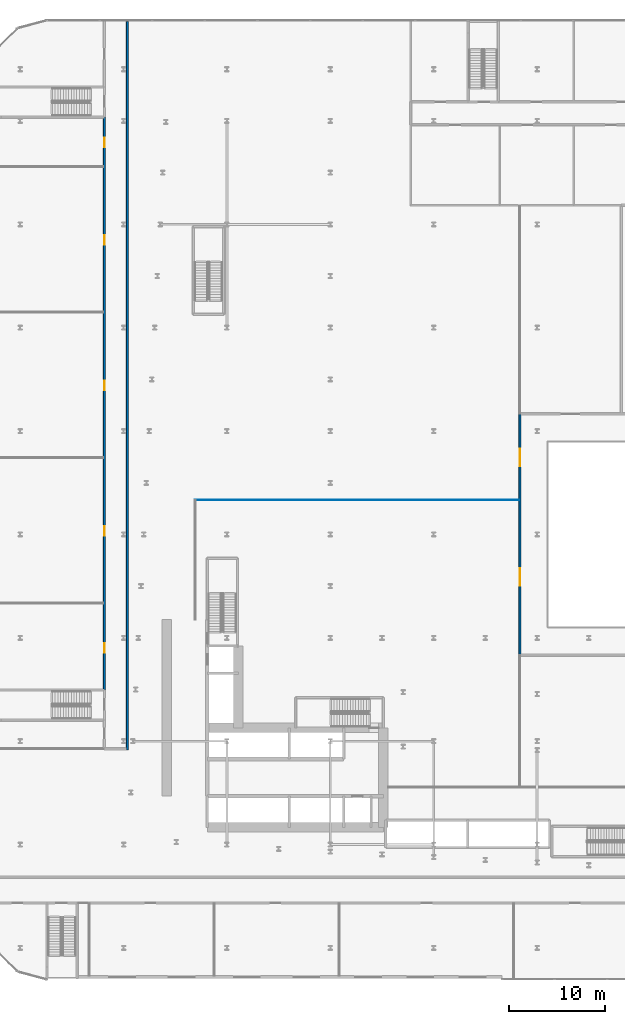
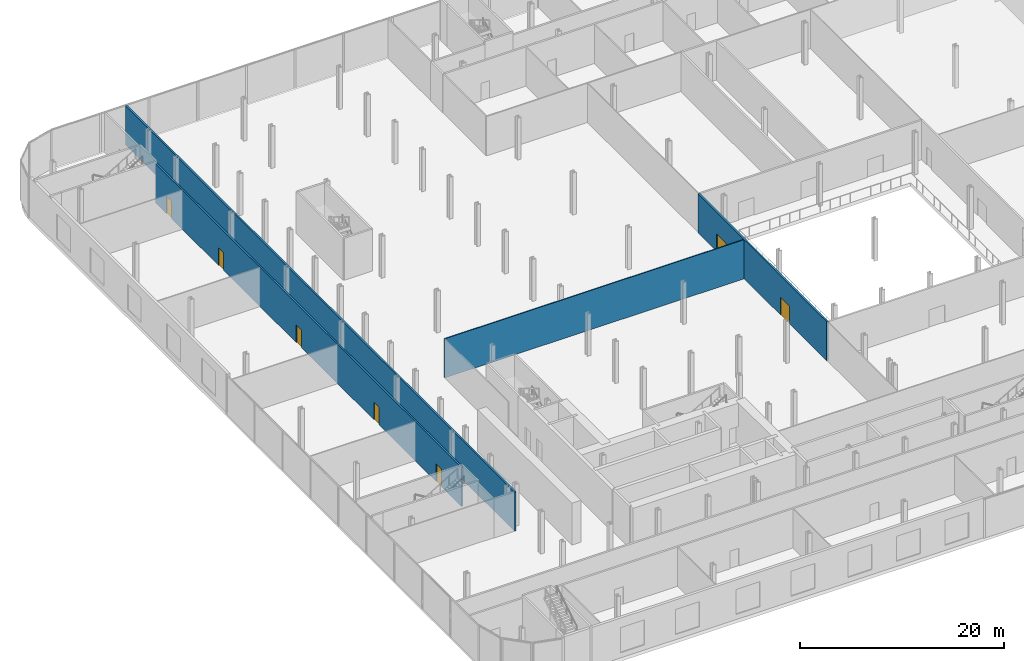
# One storey, part 30 of 47: 7 doors, 4 walls, 7 openings.
"""IFC4 building model written with IfcOpenShell, lengths in metres."""

from ifc_helpers import new_model, si_unit, direction, frame, frame_2d, origin, place, context, subcontext, project, spatial, rectangle, extrude, source, transform, mapped, material, layer, layer_set, type_object, element, fill, save


model = new_model("IFC4")

# Units and contexts
model_context = context("Model", 3, precision=1e-05, world=origin(), true_north=direction((0.0, 1.0)))
body_context = subcontext(model_context, "Body", "Model", "MODEL_VIEW")
ifc_project = project(units=[si_unit("LENGTHUNIT", "METRE"), si_unit("AREAUNIT", "SQUARE_METRE"), si_unit("VOLUMEUNIT", "CUBIC_METRE"), si_unit("PLANEANGLEUNIT", "RADIAN"), si_unit("MASSUNIT", "GRAM", prefix="KILO")], contexts=[model_context])

# Site, building, storey
site_placement = place(None, origin())
site = spatial("IfcSite", under=ifc_project, at=site_placement, CompositionType="ELEMENT")
building_placement = place(site_placement, origin())
building = spatial("IfcBuilding", under=site, at=building_placement, Name="Kheshtan School and Residences Tower", CompositionType="ELEMENT")
storey_placement = place(building_placement, frame((0.0, 0.0, 7.5)))
storey = spatial("IfcBuildingStorey", under=building, at=storey_placement, Name="L01", CompositionType="ELEMENT", Elevation=7.5)

# Wall, openings, doors
ifc_material_1 = material(Name="Gypsum board on steel studs with fire boards", Category="steel")
ifc_layer_1 = layer(ifc_material_1, 0.199951171875)
ifc_layer_set_1 = layer_set([ifc_layer_1], Name="Corridor wall 200")
wall_type_1 = type_object("IfcWallType", Name="Corridor wall 200", PredefinedType="PARTITIONING", material=ifc_layer_set_1)
wall_1_placement = place(storey_placement, frame((24.0, 40.14990234375, 0.0), z_axis=(0.0, 0.0, 1.0), x_axis=(0.0, 1.0, 0.0)))
wall_1 = element("IfcWall", 1, at=wall_1_placement, inside=storey, type_object=wall_type_1, Name="Partition L01-012", PredefinedType="PARTITIONING", context=body_context, shape_type="SweptSolid", body=[
    extrude(rectangle(XDim=59.85009765625, YDim=0.199951171875, at=frame_2d((29.925048828125, 0.0))), origin(), (0.0, 0.0, 1.0), 4.679931640625),
])
opening_1_placement = place(wall_1_placement, frame((3.89990234375, 0.0, 0.0)))
opening_1 = element("IfcOpeningElement", 2, at=opening_1_placement, cuts=wall_1, Name="Opening D01-053", PredefinedType="OPENING", context=body_context, shape_type="SweptSolid", body=[
    extrude(rectangle(XDim=1.0, YDim=2.10009765625, at=frame_2d((0.5, 1.050048828125))), frame((0.0, 0.10986328125, 0.0), z_axis=(0.0, -1.0, 0.0), x_axis=(1.0, 0.0, 0.0)), (0.0, 0.0, 1.0), 0.219970703125),
])
opening_2_placement = place(wall_1_placement, frame((16.10009765625, 0.0, 0.0)))
opening_2 = element("IfcOpeningElement", 3, at=opening_2_placement, cuts=wall_1, Name="Opening D01-054", PredefinedType="OPENING", context=body_context, shape_type="SweptSolid", body=[
    extrude(rectangle(XDim=1.0, YDim=2.10009765625, at=frame_2d((0.5, 1.050048828125))), frame((0.0, 0.10986328125, 0.0), z_axis=(0.0, -1.0, 0.0), x_axis=(1.0, 0.0, 0.0)), (0.0, 0.0, 1.0), 0.219970703125),
])
opening_3_placement = place(wall_1_placement, frame((31.300048828125, 0.0, 0.0)))
opening_3 = element("IfcOpeningElement", 4, at=opening_3_placement, cuts=wall_1, Name="Opening D01-055", PredefinedType="OPENING", context=body_context, shape_type="SweptSolid", body=[
    extrude(rectangle(XDim=1.0, YDim=2.10009765625, at=frame_2d((0.5, 1.050048828125))), frame((0.0, 0.10986328125, 0.0), z_axis=(0.0, -1.0, 0.0), x_axis=(1.0, 0.0, 0.0)), (0.0, 0.0, 1.0), 0.219970703125),
])
opening_4_placement = place(wall_1_placement, frame((46.5, 0.0, 0.0)))
opening_4 = element("IfcOpeningElement", 5, at=opening_4_placement, cuts=wall_1, Name="Opening D01-056", PredefinedType="OPENING", context=body_context, shape_type="SweptSolid", body=[
    extrude(rectangle(XDim=1.0, YDim=2.10009765625, at=frame_2d((0.5, 1.050048828125))), frame((0.0, 0.10986328125, 0.0), z_axis=(0.0, -1.0, 0.0), x_axis=(1.0, 0.0, 0.0)), (0.0, 0.0, 1.0), 0.219970703125),
])
opening_5_placement = place(wall_1_placement, frame((56.699951171875, 0.0, 0.0)))
opening_5 = element("IfcOpeningElement", 6, at=opening_5_placement, cuts=wall_1, Name="Opening D01-057", PredefinedType="OPENING", context=body_context, shape_type="SweptSolid", body=[
    extrude(rectangle(XDim=1.0, YDim=2.10009765625, at=frame_2d((0.5, 1.050048828125))), frame((0.0, 0.10986328125, 0.0), z_axis=(0.0, -1.0, 0.0), x_axis=(1.0, 0.0, 0.0)), (0.0, 0.0, 1.0), 0.219970703125),
])
ifc_material_2 = material(Name="Steel-framed fire-resisting door leaf", Category="steel")
door_type_1 = type_object("IfcDoorType", Name="Fire door FD60 1000 x 2100", OperationType="SINGLE_SWING_LEFT", PredefinedType="DOOR", material=ifc_material_2)
shared_shape_1 = source(origin(), body_context, "Body", "SweptSolid", [
    extrude(rectangle(XDim=1.0, YDim=2.10009765625, at=frame_2d((0.5, 1.050048828125))), frame((0.0, 0.02490234375, 0.0), z_axis=(0.0, -1.0, 0.0), x_axis=(1.0, 0.0, 0.0)), (0.0, 0.0, 1.0), 0.050048828125),
])
door_1_placement = place(opening_1_placement, origin())
door_1 = element("IfcDoor", 7, at=door_1_placement, inside=storey, type_object=door_type_1, Name="Door D01-053", OperationType="SINGLE_SWING_LEFT", OverallHeight=2.10009765625, OverallWidth=1.0, PredefinedType="DOOR", context=body_context, shape_type="MappedRepresentation", body=[
    mapped(shared_shape_1, transform((0.0, 0.0, 0.0), x_axis=(1.0, 0.0, 0.0), y_axis=(0.0, 1.0, 0.0), z_axis=(0.0, 0.0, 1.0), scale=1.0)),
])
fill(opening_1, door_1)
door_2_placement = place(opening_2_placement, origin())
door_2 = element("IfcDoor", 8, at=door_2_placement, inside=storey, type_object=door_type_1, Name="Door D01-054", OperationType="SINGLE_SWING_LEFT", OverallHeight=2.10009765625, OverallWidth=1.0, PredefinedType="DOOR", context=body_context, shape_type="MappedRepresentation", body=[
    mapped(shared_shape_1, transform((0.0, 0.0, 0.0), x_axis=(1.0, 0.0, 0.0), y_axis=(0.0, 1.0, 0.0), z_axis=(0.0, 0.0, 1.0), scale=1.0)),
])
fill(opening_2, door_2)
door_3_placement = place(opening_3_placement, origin())
door_3 = element("IfcDoor", 9, at=door_3_placement, inside=storey, type_object=door_type_1, Name="Door D01-055", OperationType="SINGLE_SWING_LEFT", OverallHeight=2.10009765625, OverallWidth=1.0, PredefinedType="DOOR", context=body_context, shape_type="MappedRepresentation", body=[
    mapped(shared_shape_1, transform((0.0, 0.0, 0.0), x_axis=(1.0, 0.0, 0.0), y_axis=(0.0, 1.0, 0.0), z_axis=(0.0, 0.0, 1.0), scale=1.0)),
])
fill(opening_3, door_3)
door_4_placement = place(opening_4_placement, origin())
door_4 = element("IfcDoor", 10, at=door_4_placement, inside=storey, type_object=door_type_1, Name="Door D01-056", OperationType="SINGLE_SWING_LEFT", OverallHeight=2.10009765625, OverallWidth=1.0, PredefinedType="DOOR", context=body_context, shape_type="MappedRepresentation", body=[
    mapped(shared_shape_1, transform((0.0, 0.0, 0.0), x_axis=(1.0, 0.0, 0.0), y_axis=(0.0, 1.0, 0.0), z_axis=(0.0, 0.0, 1.0), scale=1.0)),
])
fill(opening_4, door_4)
door_5_placement = place(opening_5_placement, origin())
door_5 = element("IfcDoor", 11, at=door_5_placement, inside=storey, type_object=door_type_1, Name="Door D01-057", OperationType="SINGLE_SWING_LEFT", OverallHeight=2.10009765625, OverallWidth=1.0, PredefinedType="DOOR", context=body_context, shape_type="MappedRepresentation", body=[
    mapped(shared_shape_1, transform((0.0, 0.0, 0.0), x_axis=(1.0, 0.0, 0.0), y_axis=(0.0, 1.0, 0.0), z_axis=(0.0, 0.0, 1.0), scale=1.0)),
])
fill(opening_5, door_5)

# Wall
wall_2_placement = place(storey_placement, frame((26.39990234375, 33.89990234375, 0.0), z_axis=(0.0, 0.0, 1.0), x_axis=(0.0, 1.0, 0.0)))
element("IfcWall", 12, at=wall_2_placement, inside=storey, type_object=wall_type_1, Name="Partition L01-014", PredefinedType="PARTITIONING", context=body_context, shape_type="SweptSolid", body=[
    extrude(rectangle(XDim=76.10009765625, YDim=0.199951171875, at=frame_2d((38.050048828125, 0.0))), origin(), (0.0, 0.0, 1.0), 4.679931640625),
])

# Wall, openings, doors
wall_3_placement = place(storey_placement, frame((67.39990234375, 43.800048828125, 0.0), z_axis=(0.0, 0.0, 1.0), x_axis=(0.0, 1.0, 0.0)))
wall_3 = element("IfcWall", 13, at=wall_3_placement, inside=storey, type_object=wall_type_1, Name="Partition L01-030", PredefinedType="PARTITIONING", context=body_context, shape_type="SweptSolid", body=[
    extrude(rectangle(XDim=25.199951171875, YDim=0.199951171875, at=frame_2d((12.60009765625, 0.0))), origin(), (0.0, 0.0, 1.0), 4.679931640625),
])
opening_6_placement = place(wall_3_placement, frame((7.25, 0.0, 0.0)))
opening_6 = element("IfcOpeningElement", 14, at=opening_6_placement, cuts=wall_3, Name="Opening D01-059", PredefinedType="OPENING", context=body_context, shape_type="SweptSolid", body=[
    extrude(rectangle(XDim=1.800048828125, YDim=2.10009765625, at=frame_2d((0.89990234375, 1.050048828125))), frame((0.0, 0.10986328125, 0.0), z_axis=(0.0, -1.0, 0.0), x_axis=(1.0, 0.0, 0.0)), (0.0, 0.0, 1.0), 0.219970703125),
])
opening_7_placement = place(wall_3_placement, frame((19.75, 0.0, 0.0)))
opening_7 = element("IfcOpeningElement", 15, at=opening_7_placement, cuts=wall_3, Name="Opening D01-060", PredefinedType="OPENING", context=body_context, shape_type="SweptSolid", body=[
    extrude(rectangle(XDim=1.800048828125, YDim=2.10009765625, at=frame_2d((0.89990234375, 1.050048828125))), frame((0.0, 0.10986328125, 0.0), z_axis=(0.0, -1.0, 0.0), x_axis=(1.0, 0.0, 0.0)), (0.0, 0.0, 1.0), 0.219970703125),
])
door_type_2 = type_object("IfcDoorType", Name="Fire double door FD60 1800 x 2100", OperationType="DOUBLE_DOOR_SINGLE_SWING", PredefinedType="DOOR", material=ifc_material_2)
shared_shape_2 = source(origin(), body_context, "Body", "SweptSolid", [
    extrude(rectangle(XDim=1.800048828125, YDim=2.10009765625, at=frame_2d((0.89990234375, 1.050048828125))), frame((0.0, 0.02490234375, 0.0), z_axis=(0.0, -1.0, 0.0), x_axis=(1.0, 0.0, 0.0)), (0.0, 0.0, 1.0), 0.050048828125),
])
door_6_placement = place(opening_6_placement, origin())
door_6 = element("IfcDoor", 16, at=door_6_placement, inside=storey, type_object=door_type_2, Name="Door D01-059", OperationType="DOUBLE_DOOR_SINGLE_SWING", OverallHeight=2.10009765625, OverallWidth=1.800048828125, PredefinedType="DOOR", context=body_context, shape_type="MappedRepresentation", body=[
    mapped(shared_shape_2, transform((0.0, 0.0, 0.0), x_axis=(1.0, 0.0, 0.0), y_axis=(0.0, 1.0, 0.0), z_axis=(0.0, 0.0, 1.0), scale=1.0)),
])
fill(opening_6, door_6)
door_7_placement = place(opening_7_placement, origin())
door_7 = element("IfcDoor", 17, at=door_7_placement, inside=storey, type_object=door_type_2, Name="Door D01-060", OperationType="DOUBLE_DOOR_SINGLE_SWING", OverallHeight=2.10009765625, OverallWidth=1.800048828125, PredefinedType="DOOR", context=body_context, shape_type="MappedRepresentation", body=[
    mapped(shared_shape_2, transform((0.0, 0.0, 0.0), x_axis=(1.0, 0.0, 0.0), y_axis=(0.0, 1.0, 0.0), z_axis=(0.0, 0.0, 1.0), scale=1.0)),
])
fill(opening_7, door_7)

# Wall
ifc_material_3 = material(Name="Gypsum board on steel studs", Category="steel")
ifc_layer_2 = layer(ifc_material_3, 0.10009765625)
ifc_layer_set_2 = layer_set([ifc_layer_2], Name="Gypsum partition 100")
wall_type_2 = type_object("IfcWallType", Name="Gypsum partition 100", PredefinedType="PARTITIONING", material=ifc_layer_set_2)
wall_4_placement = place(storey_placement, frame((33.449951171875, 60.0, 0.0), z_axis=(0.0, 0.0, 1.0), x_axis=(1.0, 0.0, 0.0)))
element("IfcWall", 18, at=wall_4_placement, inside=storey, type_object=wall_type_2, Name="Partition L01-015", PredefinedType="PARTITIONING", context=body_context, shape_type="SweptSolid", body=[
    extrude(rectangle(XDim=33.85009765625, YDim=0.10009765625, at=frame_2d((16.925048828125, 0.0))), origin(), (0.0, 0.0, 1.0), 4.679931640625),
])

save(model, "model.ifc")
